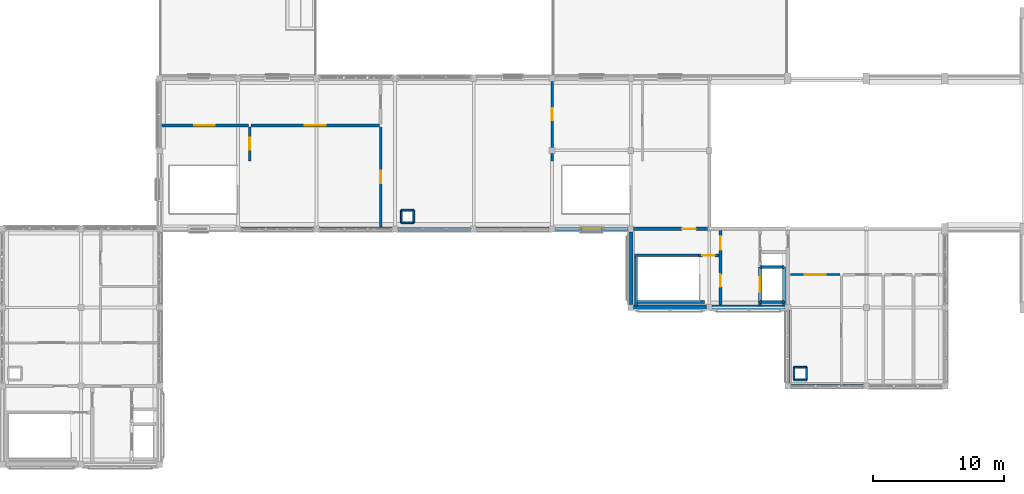
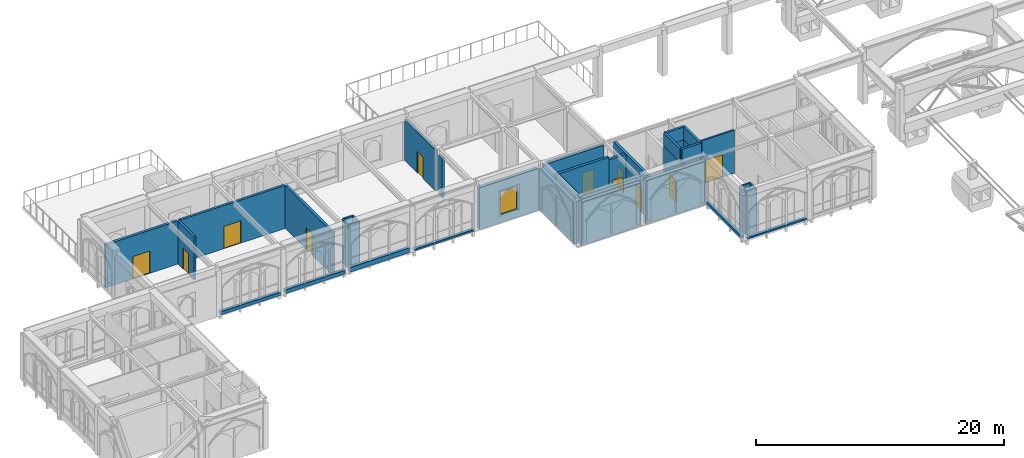
# One storey, part 41 of 59: 39 walls, 11 doors, 1 window, 12 openings.
"""IFC4 building model written with IfcOpenShell, lengths in metres."""

from ifc_helpers import new_model, si_unit, direction, frame, frame_2d, origin, place, context, subcontext, project, spatial, rectangle, extrude, material, layer, layer_set, type_object, element, fill, save


model = new_model("IFC4")

# Units and contexts
model_context = context("Model", 3, precision=1e-05, world=origin(), true_north=direction((0.0, 1.0)))
body_context = subcontext(model_context, "Body", "Model", "MODEL_VIEW")
ifc_project = project(units=[si_unit("LENGTHUNIT", "METRE"), si_unit("AREAUNIT", "SQUARE_METRE"), si_unit("VOLUMEUNIT", "CUBIC_METRE"), si_unit("PLANEANGLEUNIT", "RADIAN"), si_unit("MASSUNIT", "GRAM", prefix="KILO")], contexts=[model_context])

# Site, building, storey
site_placement = place(None, origin())
site = spatial("IfcSite", under=ifc_project, at=site_placement, CompositionType="ELEMENT")
building_placement = place(site_placement, origin())
building = spatial("IfcBuilding", under=site, at=building_placement, Name="Cumevento Cable Car Station", CompositionType="ELEMENT")
storey_placement = place(building_placement, frame((0.0, 0.0, 18.0)))
storey = spatial("IfcBuildingStorey", under=building, at=storey_placement, Name="L05", CompositionType="ELEMENT", Elevation=18.0)

# Walls
ifc_material_1 = material(Name="Gnaisse Facoidal Stone Ashlar 85 MPa", Category="masonry")
ifc_layer_1 = layer(ifc_material_1, 0.294921875)
ifc_layer_set_1 = layer_set([ifc_layer_1], Name="Gnaisse Facoidal Stone Ashlar 85 MPa")
wall_type_1 = type_object("IfcWallType", Name="Exterior Envelope Wall EW-295 295", PredefinedType="SOLIDWALL", material=ifc_layer_set_1)
wall_1_placement = place(storey_placement, frame((75.77490234375, 33.0, 0.0), z_axis=(0.0, 0.0, 1.0), x_axis=(-1.0, 0.0, 0.0)))
element("IfcWall", 1, at=wall_1_placement, inside=storey, type_object=wall_type_1, Name="Exterior Sill Curb Wall EW-295 L05 #380", PredefinedType="SOLIDWALL", context=body_context, shape_type="SweptSolid", body=[
    extrude(rectangle(XDim=5.5498046875, YDim=0.294921875, at=frame_2d((2.77490234375, 0.0))), origin(), (0.0, 0.0, 1.0), 0.159912109375),
])
wall_2_placement = place(storey_placement, frame((70.0, 33.22509765625, 0.0), z_axis=(0.0, 0.0, 1.0), x_axis=(0.0, 1.0, 0.0)))
element("IfcWall", 2, at=wall_2_placement, inside=storey, type_object=wall_type_1, Name="Exterior Sill Curb Wall EW-295 L05 #382", PredefinedType="SOLIDWALL", context=body_context, shape_type="SweptSolid", body=[
    extrude(rectangle(XDim=5.5498046875, YDim=0.294921875, at=frame_2d((2.77490234375, 0.0))), origin(), (0.0, 0.0, 1.0), 0.260009765625),
])
wall_3_placement = place(storey_placement, frame((33.77490234375, 45.0, 0.0), z_axis=(0.0, 0.0, 1.0), x_axis=(-1.0, 0.0, 0.0)))
element("IfcWall", 3, at=wall_3_placement, inside=storey, type_object=wall_type_1, Name="Exterior Sill Curb Wall EW-295 L05 #397", PredefinedType="SOLIDWALL", context=body_context, shape_type="SweptSolid", body=[
    extrude(rectangle(XDim=5.5498046875, YDim=0.294921875, at=frame_2d((2.77490234375, 0.0))), origin(), (0.0, 0.0, 1.0), 0.31005859375),
])
wall_4_placement = place(storey_placement, frame((39.77490234375, 45.0, 0.0), z_axis=(0.0, 0.0, 1.0), x_axis=(-1.0, 0.0, 0.0)))
element("IfcWall", 4, at=wall_4_placement, inside=storey, type_object=wall_type_1, Name="Exterior Sill Curb Wall EW-295 L05 #399", PredefinedType="SOLIDWALL", context=body_context, shape_type="SweptSolid", body=[
    extrude(rectangle(XDim=5.5498046875, YDim=0.294921875, at=frame_2d((2.77490234375, 0.0))), origin(), (0.0, 0.0, 1.0), 0.360107421875),
])
wall_5_placement = place(storey_placement, frame((45.77490234375, 45.0, 0.0), z_axis=(0.0, 0.0, 1.0), x_axis=(-1.0, 0.0, 0.0)))
element("IfcWall", 5, at=wall_5_placement, inside=storey, type_object=wall_type_1, Name="Exterior Sill Curb Wall EW-295 L05 #401", PredefinedType="SOLIDWALL", context=body_context, shape_type="SweptSolid", body=[
    extrude(rectangle(XDim=5.5498046875, YDim=0.294921875, at=frame_2d((2.77490234375, 0.0))), origin(), (0.0, 0.0, 1.0), 0.4599609375),
])
wall_6_placement = place(storey_placement, frame((51.77490234375, 45.0, 0.0), z_axis=(0.0, 0.0, 1.0), x_axis=(-1.0, 0.0, 0.0)))
element("IfcWall", 6, at=wall_6_placement, inside=storey, type_object=wall_type_1, Name="Exterior Sill Curb Wall EW-295 L05 #403", PredefinedType="SOLIDWALL", context=body_context, shape_type="SweptSolid", body=[
    extrude(rectangle(XDim=5.5498046875, YDim=0.294921875, at=frame_2d((2.77490234375, 0.0))), origin(), (0.0, 0.0, 1.0), 0.159912109375),
])

# Wall, opening, window
ifc_material_2 = material(Name="Gnaisse Facoidal Stone Ashlar 85 MPa", Category="masonry")
ifc_layer_2 = layer(ifc_material_2, 0.324951171875)
ifc_layer_set_2 = layer_set([ifc_layer_2], Name="Gnaisse Facoidal Stone Ashlar 85 MPa")
wall_type_2 = type_object("IfcWallType", Name="Exterior Envelope Wall EW-325 325", PredefinedType="SOLIDWALL", material=ifc_layer_set_2)
wall_7_placement = place(storey_placement, frame((57.77490234375, 45.0, 0.0), z_axis=(0.0, 0.0, 1.0), x_axis=(-1.0, 0.0, 0.0)))
wall_7 = element("IfcWall", 7, at=wall_7_placement, inside=storey, type_object=wall_type_2, Name="Exterior Wall EW-325 L05 #407", PredefinedType="SOLIDWALL", context=body_context, shape_type="SweptSolid", body=[
    extrude(rectangle(XDim=5.5498046875, YDim=0.324951171875, at=frame_2d((2.77490234375, 0.0))), origin(), (0.0, 0.0, 1.0), 4.093017578125),
])
opening_1_placement = place(wall_7_placement, frame((2.0, 0.0, 0.75)))
opening_1 = element("IfcOpeningElement", 8, at=opening_1_placement, cuts=wall_7, Name="Opening WN-L05-104", PredefinedType="OPENING", context=body_context, shape_type="SweptSolid", body=[
    extrude(rectangle(XDim=1.550048828125, YDim=2.25, at=frame_2d((0.77490234375, 1.125))), frame((0.0, 0.172607421875, 0.0), z_axis=(0.0, -1.0, 0.0), x_axis=(1.0, 0.0, 0.0)), (0.0, 0.0, 1.0), 0.344970703125),
])
ifc_material_3 = material(Name="Anodised Bronze Aluminium & Laminated Solar Glass", Category="aluminium")
window_type = type_object("IfcWindowType", Name="Lancet Window WN-08 1550x2250", PartitioningType="DOUBLE_PANEL_VERTICAL", PredefinedType="WINDOW", material=ifc_material_3)
window_placement = place(opening_1_placement, origin())
window = element("IfcWindow", 9, at=window_placement, inside=storey, type_object=window_type, Name="Lancet Window WN-L05-104 (WN-08)", OverallHeight=2.25, OverallWidth=1.550048828125, PartitioningType="SINGLE_PANEL", PredefinedType="WINDOW", context=body_context, shape_type="SweptSolid", body=[
    extrude(rectangle(XDim=1.550048828125, YDim=2.25, at=frame_2d((0.77490234375, 1.125))), frame((0.0, 0.030029296875, 0.0), z_axis=(0.0, -1.0, 0.0), x_axis=(1.0, 0.0, 0.0)), (0.0, 0.0, 1.0), 0.06005859375),
])
fill(opening_1, window)

# Walls
ifc_material_4 = material(Name="Concrete C40/50", Category="concrete")
ifc_layer_3 = layer(ifc_material_4, 0.35498046875)
ifc_layer_set_3 = layer_set([ifc_layer_3], Name="Concrete C40/50")
wall_type_3 = type_object("IfcWallType", Name="Exterior Envelope Wall EW-355 355", PredefinedType="SOLIDWALL", material=ifc_layer_set_3)
wall_8_placement = place(storey_placement, frame((63.77490234375, 39.0, 0.0), z_axis=(0.0, 0.0, 1.0), x_axis=(-1.0, 0.0, 0.0)))
element("IfcWall", 10, at=wall_8_placement, inside=storey, type_object=wall_type_3, Name="Exterior Wall EW-355 L05 #377", PredefinedType="SOLIDWALL", context=body_context, shape_type="SweptSolid", body=[
    extrude(rectangle(XDim=5.5498046875, YDim=0.35498046875, at=frame_2d((2.77490234375, 0.0))), origin(), (0.0, 0.0, 1.0), 4.194091796875),
])
wall_9_placement = place(storey_placement, frame((69.77490234375, 39.0, 0.0), z_axis=(0.0, 0.0, 1.0), x_axis=(-1.0, 0.0, 0.0)))
element("IfcWall", 11, at=wall_9_placement, inside=storey, type_object=wall_type_3, Name="Exterior Wall EW-355 L05 #378", PredefinedType="SOLIDWALL", context=body_context, shape_type="SweptSolid", body=[
    extrude(rectangle(XDim=5.5498046875, YDim=0.35498046875, at=frame_2d((2.77490234375, 0.0))), origin(), (0.0, 0.0, 1.0), 4.23388671875),
])
wall_10_placement = place(storey_placement, frame((58.0, 39.22509765625, 0.0), z_axis=(0.0, 0.0, 1.0), x_axis=(0.0, 1.0, 0.0)))
element("IfcWall", 12, at=wall_10_placement, inside=storey, type_object=wall_type_3, Name="Exterior Wall EW-355 L05 #379", PredefinedType="SOLIDWALL", context=body_context, shape_type="SweptSolid", body=[
    extrude(rectangle(XDim=5.5498046875, YDim=0.35498046875, at=frame_2d((2.77490234375, 0.0))), origin(), (0.0, 0.0, 1.0), 4.093017578125),
])

# Wall, opening, door
ifc_material_5 = material(Name="Concrete C40/50", Category="concrete")
ifc_layer_4 = layer(ifc_material_5, 0.199951171875)
ifc_layer_set_4 = layer_set([ifc_layer_4], Name="Concrete C40/50")
wall_type_4 = type_object("IfcWallType", Name="Interior Partition FW-200 200", PredefinedType="SOLIDWALL", material=ifc_layer_set_4)
wall_11_placement = place(storey_placement, frame((28.89990234375, 50.199951171875, 0.0), z_axis=(0.0, 0.0, 1.0), x_axis=(0.0, 1.0, 0.0)))
wall_11 = element("IfcWall", 13, at=wall_11_placement, inside=storey, type_object=wall_type_4, Name="Interior Wall FW-200 L05 #740", PredefinedType="SOLIDWALL", context=body_context, shape_type="SweptSolid", body=[
    extrude(rectangle(XDim=2.60009765625, YDim=0.199951171875, at=frame_2d((1.300048828125, 0.0))), origin(), (0.0, 0.0, 1.0), 4.239990234375),
])
opening_2_placement = place(wall_11_placement, frame((0.830078125, 0.0, 0.0)))
opening_2 = element("IfcOpeningElement", 14, at=opening_2_placement, cuts=wall_11, Name="Opening DR-L05-309", PredefinedType="OPENING", context=body_context, shape_type="SweptSolid", body=[
    extrude(rectangle(XDim=0.93994140625, YDim=2.10009765625, at=frame_2d((0.469970703125, 1.050048828125))), frame((0.0, 0.110107421875, 0.0), z_axis=(0.0, -1.0, 0.0), x_axis=(1.0, 0.0, 0.0)), (0.0, 0.0, 1.0), 0.219970703125),
])
ifc_material_6 = material(Name="Galvanised Painted Steel Fire Door", Category="steel")
door_type_1 = type_object("IfcDoorType", Name="Interior Door FD-08 940x2100", OperationType="NOTDEFINED", PredefinedType="DOOR", material=ifc_material_6)
door_1_placement = place(opening_2_placement, origin())
door_1 = element("IfcDoor", 15, at=door_1_placement, inside=storey, type_object=door_type_1, Name="Interior Door DR-L05-309 (FD-08)", OperationType="SINGLE_SWING_RIGHT", OverallHeight=2.10009765625, OverallWidth=0.93994140625, PredefinedType="DOOR", context=body_context, shape_type="SweptSolid", body=[
    extrude(rectangle(XDim=0.93994140625, YDim=2.10009765625, at=frame_2d((0.469970703125, 1.050048828125))), frame((0.0, 0.02490234375, 0.0), z_axis=(0.0, -1.0, 0.0), x_axis=(1.0, 0.0, 0.0)), (0.0, 0.0, 1.0), 0.050048828125),
])
fill(opening_2, door_1)

ifc_material_7 = material(Name="Concrete C40/50", Category="concrete")
ifc_layer_5 = layer(ifc_material_7, 0.219970703125)
ifc_layer_set_5 = layer_set([ifc_layer_5], Name="Concrete C40/50")
wall_type_5 = type_object("IfcWallType", Name="Interior Partition FW-220 220", PredefinedType="SOLIDWALL", material=ifc_layer_set_5)
wall_12_placement = place(storey_placement, frame((38.89990234375, 45.117919921875, 0.0), z_axis=(0.0, 0.0, 1.0), x_axis=(0.0, 1.0, 0.0)))
wall_12 = element("IfcWall", 16, at=wall_12_placement, inside=storey, type_object=wall_type_5, Name="Interior Wall FW-220 L05 #739", PredefinedType="SOLIDWALL", context=body_context, shape_type="SweptSolid", body=[
    extrude(rectangle(XDim=7.68212890625, YDim=0.219970703125, at=frame_2d((3.841064453125, 0.0))), origin(), (0.0, 0.0, 1.0), 4.239990234375),
])
opening_3_placement = place(wall_12_placement, frame((3.37109375, 0.0, 0.0)))
opening_3 = element("IfcOpeningElement", 17, at=opening_3_placement, cuts=wall_12, Name="Opening DR-L05-308", PredefinedType="OPENING", context=body_context, shape_type="SweptSolid", body=[
    extrude(rectangle(XDim=0.93994140625, YDim=2.10009765625, at=frame_2d((0.469970703125, 1.050048828125))), frame((0.0, 0.119873046875, 0.0), z_axis=(0.0, -1.0, 0.0), x_axis=(1.0, 0.0, 0.0)), (0.0, 0.0, 1.0), 0.239990234375),
])
door_2_placement = place(opening_3_placement, origin())
door_2 = element("IfcDoor", 18, at=door_2_placement, inside=storey, type_object=door_type_1, Name="Interior Door DR-L05-308 (FD-08)", OperationType="SINGLE_SWING_LEFT", OverallHeight=2.10009765625, OverallWidth=0.93994140625, PredefinedType="DOOR", context=body_context, shape_type="SweptSolid", body=[
    extrude(rectangle(XDim=0.93994140625, YDim=2.10009765625, at=frame_2d((0.469970703125, 1.050048828125))), frame((0.0, 0.02490234375, 0.0), z_axis=(0.0, -1.0, 0.0), x_axis=(1.0, 0.0, 0.0)), (0.0, 0.0, 1.0), 0.050048828125),
])
fill(opening_3, door_2)

wall_13_placement = place(storey_placement, frame((29.0, 52.89990234375, 0.0), z_axis=(0.0, 0.0, 1.0), x_axis=(1.0, 0.0, 0.0)))
wall_13 = element("IfcWall", 19, at=wall_13_placement, inside=storey, type_object=wall_type_5, Name="Interior Wall FW-220 L05 #741", PredefinedType="SOLIDWALL", context=body_context, shape_type="SweptSolid", body=[
    extrude(rectangle(XDim=9.800048828125, YDim=0.219970703125, at=frame_2d((4.89990234375, 0.0))), origin(), (0.0, 0.0, 1.0), 4.239990234375),
])
opening_4_placement = place(wall_13_placement, frame((4.110107421875, 0.0, 0.0)))
opening_4 = element("IfcOpeningElement", 20, at=opening_4_placement, cuts=wall_13, Name="Opening DR-L05-310", PredefinedType="OPENING", context=body_context, shape_type="SweptSolid", body=[
    extrude(rectangle(XDim=1.580078125, YDim=2.199951171875, at=frame_2d((0.7900390625, 1.10009765625))), frame((0.0, 0.119873046875, 0.0), z_axis=(0.0, -1.0, 0.0), x_axis=(1.0, 0.0, 0.0)), (0.0, 0.0, 1.0), 0.239990234375),
])
ifc_material_8 = material(Name="Galvanised Painted Steel Fire Door", Category="steel")
door_type_2 = type_object("IfcDoorType", Name="Interior Door FD-06 1580x2200", OperationType="NOTDEFINED", PredefinedType="DOOR", material=ifc_material_8)
door_3_placement = place(opening_4_placement, origin())
door_3 = element("IfcDoor", 21, at=door_3_placement, inside=storey, type_object=door_type_2, Name="Interior Door DR-L05-310 (FD-06)", OperationType="DOUBLE_DOOR_SINGLE_SWING", OverallHeight=2.199951171875, OverallWidth=1.580078125, PredefinedType="DOOR", context=body_context, shape_type="SweptSolid", body=[
    extrude(rectangle(XDim=1.580078125, YDim=2.199951171875, at=frame_2d((0.7900390625, 1.10009765625))), frame((0.0, 0.02490234375, 0.0), z_axis=(0.0, -1.0, 0.0), x_axis=(1.0, 0.0, 0.0)), (0.0, 0.0, 1.0), 0.050048828125),
])
fill(opening_4, door_3)

wall_14_placement = place(storey_placement, frame((52.0, 51.22705078125, 0.0), z_axis=(0.0, 0.0, 1.0), x_axis=(0.0, 1.0, 0.0)))
wall_14 = element("IfcWall", 22, at=wall_14_placement, inside=storey, type_object=wall_type_5, Name="Interior Wall FW-220 L05 #743", PredefinedType="SOLIDWALL", context=body_context, shape_type="SweptSolid", body=[
    extrude(rectangle(XDim=5.0458984375, YDim=0.219970703125, at=frame_2d((2.52294921875, 0.0))), origin(), (0.0, 0.0, 1.0), 4.04296875),
])
opening_5_placement = place(wall_14_placement, frame((2.052978515625, 0.0, 0.0)))
opening_5 = element("IfcOpeningElement", 23, at=opening_5_placement, cuts=wall_14, Name="Opening DR-L05-312", PredefinedType="OPENING", context=body_context, shape_type="SweptSolid", body=[
    extrude(rectangle(XDim=0.93994140625, YDim=2.10009765625, at=frame_2d((0.469970703125, 1.050048828125))), frame((0.0, 0.119873046875, 0.0), z_axis=(0.0, -1.0, 0.0), x_axis=(1.0, 0.0, 0.0)), (0.0, 0.0, 1.0), 0.239990234375),
])
door_4_placement = place(opening_5_placement, origin())
door_4 = element("IfcDoor", 24, at=door_4_placement, inside=storey, type_object=door_type_1, Name="Interior Door DR-L05-312 (FD-08)", OperationType="SINGLE_SWING_RIGHT", OverallHeight=2.10009765625, OverallWidth=0.93994140625, PredefinedType="DOOR", context=body_context, shape_type="SweptSolid", body=[
    extrude(rectangle(XDim=0.93994140625, YDim=2.10009765625, at=frame_2d((0.469970703125, 1.050048828125))), frame((0.0, 0.02490234375, 0.0), z_axis=(0.0, -1.0, 0.0), x_axis=(1.0, 0.0, 0.0)), (0.0, 0.0, 1.0), 0.050048828125),
])
fill(opening_5, door_4)

# Walls
wall_15_placement = place(storey_placement, frame((52.0, 50.199951171875, 0.0), z_axis=(0.0, 0.0, 1.0), x_axis=(0.0, 1.0, 0.0)))
element("IfcWall", 25, at=wall_15_placement, inside=storey, type_object=wall_type_5, Name="Interior Wall FW-220 L05 #744", PredefinedType="SOLIDWALL", context=body_context, shape_type="SweptSolid", body=[
    extrude(rectangle(XDim=0.572998046875, YDim=0.219970703125, at=frame_2d((0.28662109375, 0.0))), origin(), (0.0, 0.0, 1.0), 3.89208984375),
])
ifc_material_9 = material(Name="Gypsum Board & Insulated Stud Partition", Category="gypsum")
ifc_layer_6 = layer(ifc_material_9, 0.14501953125)
ifc_layer_set_6 = layer_set([ifc_layer_6], Name="Gypsum Board & Insulated Stud Partition")
wall_type_6 = type_object("IfcWallType", Name="Interior Partition PT-145 145", PredefinedType="PARTITIONING", material=ifc_layer_set_6)
for number, where, z_axis, x_axis, name in (
    (26, (70.469970703125, 33.469970703125, 0.0), (0.0, 0.0, 1.0), (1.0, 0.0, 0.0), "Interior Wall PT-145 L05 #25"),
    (27, (71.429931640625, 33.469970703125, 0.0), (0.0, 0.0, 1.0), (0.0, 1.0, 0.0), "Interior Wall PT-145 L05 #26"),
    (28, (71.429931640625, 34.429931640625, 0.0), (0.0, 0.0, 1.0), (-1.0, 0.0, 0.0), "Interior Wall PT-145 L05 #27"),
    (29, (70.469970703125, 34.429931640625, 0.0), (0.0, 0.0, 1.0), (0.0, -1.0, 0.0), "Interior Wall PT-145 L05 #28"),
    (30, (40.469970703125, 45.469970703125, 0.0), (0.0, 0.0, 1.0), (1.0, 0.0, 0.0), "Interior Wall PT-145 L05 #57"),
    (31, (41.429931640625, 45.469970703125, 0.0), (0.0, 0.0, 1.0), (0.0, 1.0, 0.0), "Interior Wall PT-145 L05 #58"),
    (32, (41.429931640625, 46.429931640625, 0.0), (0.0, 0.0, 1.0), (-1.0, 0.0, 0.0), "Interior Wall PT-145 L05 #59"),
    (33, (40.469970703125, 46.429931640625, 0.0), (0.0, 0.0, 1.0), (0.0, -1.0, 0.0), "Interior Wall PT-145 L05 #60"),
):
    element("IfcWall", number, at=place(storey_placement, frame(where, z_axis=z_axis, x_axis=x_axis)), inside=storey, type_object=wall_type_6, Name=name, PredefinedType="PARTITIONING", context=body_context, shape_type="SweptSolid", body=[
        extrude(rectangle(XDim=0.9599609375, YDim=0.14501953125, at=frame_2d((0.47998046875, 0.0))), origin(), (0.0, 0.0, 1.0), 4.239990234375),
    ])

# Wall, opening, door
ifc_material_10 = material(Name="Gypsum Board & Insulated Stud Partition", Category="gypsum")
ifc_layer_7 = layer(ifc_material_10, 0.155029296875)
ifc_layer_set_7 = layer_set([ifc_layer_7], Name="Gypsum Board & Insulated Stud Partition")
wall_type_7 = type_object("IfcWallType", Name="Interior Partition PT-155 155", PredefinedType="PARTITIONING", material=ifc_layer_set_7)
wall_16_placement = place(storey_placement, frame((70.199951171875, 41.5, 0.0), z_axis=(0.0, 0.0, 1.0), x_axis=(1.0, 0.0, 0.0)))
wall_16 = element("IfcWall", 34, at=wall_16_placement, inside=storey, type_object=wall_type_7, Name="Interior Wall PT-155 L05 #727", PredefinedType="PARTITIONING", context=body_context, shape_type="SweptSolid", body=[
    extrude(rectangle(XDim=3.800048828125, YDim=0.155029296875, at=frame_2d((1.89990234375, 0.0))), origin(), (0.0, 0.0, 1.0), 4.239990234375),
])
opening_6_placement = place(wall_16_placement, frame((1.110107421875, 0.0, 0.0)))
opening_6 = element("IfcOpeningElement", 35, at=opening_6_placement, cuts=wall_16, Name="Opening DR-L05-301", PredefinedType="OPENING", context=body_context, shape_type="SweptSolid", body=[
    extrude(rectangle(XDim=1.580078125, YDim=2.199951171875, at=frame_2d((0.7900390625, 1.10009765625))), frame((0.0, 0.087646484375, 0.0), z_axis=(0.0, -1.0, 0.0), x_axis=(1.0, 0.0, 0.0)), (0.0, 0.0, 1.0), 0.175048828125),
])
door_5_placement = place(opening_6_placement, origin())
door_5 = element("IfcDoor", 36, at=door_5_placement, inside=storey, type_object=door_type_2, Name="Interior Door DR-L05-301 (FD-06)", OperationType="DOUBLE_DOOR_SINGLE_SWING", OverallHeight=2.199951171875, OverallWidth=1.580078125, PredefinedType="DOOR", context=body_context, shape_type="SweptSolid", body=[
    extrude(rectangle(XDim=1.580078125, YDim=2.199951171875, at=frame_2d((0.7900390625, 1.10009765625))), frame((0.0, 0.02490234375, 0.0), z_axis=(0.0, -1.0, 0.0), x_axis=(1.0, 0.0, 0.0)), (0.0, 0.0, 1.0), 0.050048828125),
])
fill(opening_6, door_5)

ifc_material_11 = material(Name="Acoustic Masonry Block Partition", Category="masonry")
ifc_layer_8 = layer(ifc_material_11, 0.2451171875)
ifc_layer_set_8 = layer_set([ifc_layer_8], Name="Acoustic Masonry Block Partition")
wall_type_8 = type_object("IfcWallType", Name="Interior Partition PT-245 245", PredefinedType="PARTITIONING", material=ifc_layer_set_8)
wall_17_placement = place(storey_placement, frame((22.0849609375, 52.89990234375, 0.0), z_axis=(0.0, 0.0, 1.0), x_axis=(1.0, 0.0, 0.0)))
wall_17 = element("IfcWall", 37, at=wall_17_placement, inside=storey, type_object=wall_type_8, Name="Interior Wall PT-245 L05 #745", PredefinedType="PARTITIONING", context=body_context, shape_type="SweptSolid", body=[
    extrude(rectangle(XDim=6.715087890625, YDim=0.2451171875, at=frame_2d((3.357421875, 0.0))), origin(), (0.0, 0.0, 1.0), 4.239990234375),
])
opening_7_placement = place(wall_17_placement, frame((2.5673828125, 0.0, 0.0)))
opening_7 = element("IfcOpeningElement", 38, at=opening_7_placement, cuts=wall_17, Name="Opening DR-L05-313", PredefinedType="OPENING", context=body_context, shape_type="SweptSolid", body=[
    extrude(rectangle(XDim=1.580078125, YDim=2.199951171875, at=frame_2d((0.7900390625, 1.10009765625))), frame((0.0, 0.132568359375, 0.0), z_axis=(0.0, -1.0, 0.0), x_axis=(1.0, 0.0, 0.0)), (0.0, 0.0, 1.0), 0.26513671875),
])
door_6_placement = place(opening_7_placement, origin())
door_6 = element("IfcDoor", 39, at=door_6_placement, inside=storey, type_object=door_type_2, Name="Interior Door DR-L05-313 (FD-06)", OperationType="DOUBLE_DOOR_SINGLE_SWING", OverallHeight=2.199951171875, OverallWidth=1.580078125, PredefinedType="DOOR", context=body_context, shape_type="SweptSolid", body=[
    extrude(rectangle(XDim=1.580078125, YDim=2.199951171875, at=frame_2d((0.7900390625, 1.10009765625))), frame((0.0, 0.02490234375, 0.0), z_axis=(0.0, -1.0, 0.0), x_axis=(1.0, 0.0, 0.0)), (0.0, 0.0, 1.0), 0.050048828125),
])
fill(opening_7, door_6)

# Walls
ifc_material_12 = material(Name="Concrete C40/50", Category="concrete")
ifc_layer_9 = layer(ifc_material_12, 0.22998046875)
ifc_layer_set_9 = layer_set([ifc_layer_9], Name="Concrete C40/50")
wall_type_9 = type_object("IfcWallType", Name="Interior Shear Wall CW-230 230", PredefinedType="SHEAR", material=ifc_layer_set_9)
wall_18_placement = place(storey_placement, frame((67.8798828125, 39.419921875, 4.5), z_axis=(0.0, 0.0, 1.0), x_axis=(1.0, 0.0, 0.0)))
element("IfcWall", 40, at=wall_18_placement, inside=storey, type_object=wall_type_9, Name="Interior Wall CW-230 L05 #137", PredefinedType="SHEAR", context=body_context, shape_type="SweptSolid", body=[
    extrude(rectangle(XDim=1.820068359375, YDim=0.22998046875, at=frame_2d((0.91015625, 0.0))), origin(), (0.0, 0.0, 1.0), 1.25),
])
wall_19_placement = place(storey_placement, frame((69.699951171875, 39.419921875, 4.5), z_axis=(0.0, 0.0, 1.0), x_axis=(0.0, 1.0, 0.0)))
element("IfcWall", 41, at=wall_19_placement, inside=storey, type_object=wall_type_9, Name="Interior Wall CW-230 L05 #138", PredefinedType="SHEAR", context=body_context, shape_type="SweptSolid", body=[
    extrude(rectangle(XDim=2.66015625, YDim=0.22998046875, at=frame_2d((1.330078125, 0.0))), origin(), (0.0, 0.0, 1.0), 1.25),
])
wall_20_placement = place(storey_placement, frame((69.699951171875, 42.080078125, 4.5), z_axis=(0.0, 0.0, 1.0), x_axis=(-1.0, 0.0, 0.0)))
element("IfcWall", 42, at=wall_20_placement, inside=storey, type_object=wall_type_9, Name="Interior Wall CW-230 L05 #139", PredefinedType="SHEAR", context=body_context, shape_type="SweptSolid", body=[
    extrude(rectangle(XDim=1.820068359375, YDim=0.22998046875, at=frame_2d((0.91015625, 0.0))), origin(), (0.0, 0.0, 1.0), 1.25),
])
wall_21_placement = place(storey_placement, frame((67.8798828125, 42.080078125, 4.5), z_axis=(0.0, 0.0, 1.0), x_axis=(0.0, -1.0, 0.0)))
element("IfcWall", 43, at=wall_21_placement, inside=storey, type_object=wall_type_9, Name="Interior Wall CW-230 L05 #140", PredefinedType="SHEAR", context=body_context, shape_type="SweptSolid", body=[
    extrude(rectangle(XDim=2.66015625, YDim=0.22998046875, at=frame_2d((1.330078125, 0.0))), origin(), (0.0, 0.0, 1.0), 1.25),
])
wall_22_placement = place(storey_placement, frame((58.405029296875, 39.114990234375, 0.0), z_axis=(0.0, 0.0, 1.0), x_axis=(0.0, 1.0, 0.0)))
element("IfcWall", 44, at=wall_22_placement, inside=storey, type_object=wall_type_9, Name="Interior Wall CW-230 L05 #202", PredefinedType="SHEAR", context=body_context, shape_type="SweptSolid", body=[
    extrude(rectangle(XDim=3.735107421875, YDim=0.22998046875, at=frame_2d((1.86767578125, 0.0))), origin(), (0.0, 0.0, 1.0), 4.5),
])
wall_23_placement = place(storey_placement, frame((58.52001953125, 39.405029296875, 0.0), z_axis=(0.0, 0.0, 1.0), x_axis=(1.0, 0.0, 0.0)))
element("IfcWall", 45, at=wall_23_placement, inside=storey, type_object=wall_type_9, Name="Interior Wall CW-230 L05 #203", PredefinedType="SHEAR", context=body_context, shape_type="SweptSolid", body=[
    extrude(rectangle(XDim=5.1298828125, YDim=0.22998046875, at=frame_2d((2.56494140625, 0.0))), origin(), (0.0, 0.0, 1.0), 4.5),
])
wall_24_placement = place(storey_placement, frame((68.0048828125, 39.419921875, 0.0), z_axis=(0.0, 0.0, 1.0), x_axis=(1.0, 0.0, 0.0)))
element("IfcWall", 46, at=wall_24_placement, inside=storey, type_object=wall_type_9, Name="Interior Wall CW-230 L05 #208", PredefinedType="SHEAR", context=body_context, shape_type="SweptSolid", body=[
    extrude(rectangle(XDim=1.580078125, YDim=0.22998046875, at=frame_2d((0.7900390625, 0.0))), origin(), (0.0, 0.0, 1.0), 4.5),
])
wall_25_placement = place(storey_placement, frame((69.699951171875, 39.114990234375, 0.0), z_axis=(0.0, 0.0, 1.0), x_axis=(0.0, 1.0, 0.0)))
element("IfcWall", 47, at=wall_25_placement, inside=storey, type_object=wall_type_9, Name="Interior Wall CW-230 L05 #209", PredefinedType="SHEAR", context=body_context, shape_type="SweptSolid", body=[
    extrude(rectangle(XDim=2.965087890625, YDim=0.22998046875, at=frame_2d((1.482421875, 0.0))), origin(), (0.0, 0.0, 1.0), 4.5),
])
wall_26_placement = place(storey_placement, frame((68.0048828125, 42.080078125, 0.0), z_axis=(0.0, 0.0, 1.0), x_axis=(1.0, 0.0, 0.0)))
element("IfcWall", 48, at=wall_26_placement, inside=storey, type_object=wall_type_9, Name="Interior Wall CW-230 L05 #210", PredefinedType="SHEAR", context=body_context, shape_type="SweptSolid", body=[
    extrude(rectangle(XDim=1.580078125, YDim=0.22998046875, at=frame_2d((0.7900390625, 0.0))), origin(), (0.0, 0.0, 1.0), 4.5),
])
ifc_material_13 = material(Name="Concrete C40/50", Category="concrete")
ifc_layer_10 = layer(ifc_material_13, 0.25)
ifc_layer_set_10 = layer_set([ifc_layer_10], Name="Concrete C40/50")
wall_type_10 = type_object("IfcWallType", Name="Interior Shear Wall CW-250 250", PredefinedType="SHEAR", material=ifc_layer_set_10)
wall_27_placement = place(storey_placement, frame((58.2900390625, 42.97509765625, 0.0), z_axis=(0.0, 0.0, 1.0), x_axis=(1.0, 0.0, 0.0)))
element("IfcWall", 49, at=wall_27_placement, inside=storey, type_object=wall_type_10, Name="Interior Wall CW-250 L05 #204", PredefinedType="SHEAR", context=body_context, shape_type="SweptSolid", body=[
    extrude(rectangle(XDim=4.869873046875, YDim=0.25, at=frame_2d((2.43505859375, 0.0))), origin(), (0.0, 0.0, 1.0), 4.5),
])

# Wall, opening, door
wall_28_placement = place(storey_placement, frame((63.159912109375, 42.97509765625, 0.0), z_axis=(0.0, 0.0, 1.0), x_axis=(1.0, 0.0, 0.0)))
wall_28 = element("IfcWall", 50, at=wall_28_placement, inside=storey, type_object=wall_type_10, Name="Interior Wall CW-250 L05 #205", PredefinedType="SHEAR", context=body_context, shape_type="SweptSolid", body=[
    extrude(rectangle(XDim=1.580078125, YDim=0.25, at=frame_2d((0.7900390625, 0.0))), origin(), (0.0, 0.0, 1.0), 4.239990234375),
])
opening_8_placement = place(wall_28_placement, frame((0.31005859375, 0.0, 0.0)))
opening_8 = element("IfcOpeningElement", 51, at=opening_8_placement, cuts=wall_28, Name="Opening DR-L05-038", PredefinedType="OPENING", context=body_context, shape_type="SweptSolid", body=[
    extrude(rectangle(XDim=0.9599609375, YDim=2.1201171875, at=frame_2d((0.47998046875, 1.06005859375))), frame((0.0, 0.135009765625, 0.0), z_axis=(0.0, -1.0, 0.0), x_axis=(1.0, 0.0, 0.0)), (0.0, 0.0, 1.0), 0.27001953125),
])
ifc_material_14 = material(Name="Galvanised Painted Steel Fire Door", Category="steel")
door_type_3 = type_object("IfcDoorType", Name="Interior Door FD-01 960x2120", OperationType="NOTDEFINED", PredefinedType="DOOR", material=ifc_material_14)
door_7_placement = place(opening_8_placement, origin())
door_7 = element("IfcDoor", 52, at=door_7_placement, inside=storey, type_object=door_type_3, Name="Stair ST-01 Enclosure Door L05", OperationType="SINGLE_SWING_RIGHT", OverallHeight=2.1201171875, OverallWidth=0.9599609375, PredefinedType="DOOR", context=body_context, shape_type="SweptSolid", body=[
    extrude(rectangle(XDim=0.9599609375, YDim=2.1201171875, at=frame_2d((0.47998046875, 1.06005859375))), frame((0.0, 0.02490234375, 0.0), z_axis=(0.0, -1.0, 0.0), x_axis=(1.0, 0.0, 0.0)), (0.0, 0.0, 1.0), 0.050048828125),
])
fill(opening_8, door_7)

# Wall, openings, doors
wall_29_placement = place(storey_placement, frame((64.864990234375, 39.175048828125, 0.0), z_axis=(0.0, 0.0, 1.0), x_axis=(0.0, 1.0, 0.0)))
wall_29 = element("IfcWall", 53, at=wall_29_placement, inside=storey, type_object=wall_type_10, Name="Interior Wall CW-250 L05 #206", PredefinedType="SHEAR", context=body_context, shape_type="SweptSolid", body=[
    extrude(rectangle(XDim=5.6875, YDim=0.25, at=frame_2d((2.84375, 0.0))), origin(), (0.0, 0.0, 1.0), 4.239990234375),
])
opening_9_placement = place(wall_29_placement, frame((4.22509765625, 0.0, 0.0)))
opening_9 = element("IfcOpeningElement", 54, at=opening_9_placement, cuts=wall_29, Name="Opening DR-L05-039", PredefinedType="OPENING", context=body_context, shape_type="SweptSolid", body=[
    extrude(rectangle(XDim=1.0400390625, YDim=2.139892578125, at=frame_2d((0.52001953125, 1.06982421875))), frame((0.0, 0.135009765625, 0.0), z_axis=(0.0, -1.0, 0.0), x_axis=(1.0, 0.0, 0.0)), (0.0, 0.0, 1.0), 0.27001953125),
])
opening_10_placement = place(wall_29_placement, frame((1.39501953125, 0.0, 0.0)))
opening_10 = element("IfcOpeningElement", 55, at=opening_10_placement, cuts=wall_29, Name="Opening DR-L05-040", PredefinedType="OPENING", context=body_context, shape_type="SweptSolid", body=[
    extrude(rectangle(XDim=0.9599609375, YDim=2.1201171875, at=frame_2d((0.47998046875, 1.06005859375))), frame((0.0, 0.135009765625, 0.0), z_axis=(0.0, -1.0, 0.0), x_axis=(1.0, 0.0, 0.0)), (0.0, 0.0, 1.0), 0.27001953125),
])
door_8_placement = place(opening_10_placement, origin())
door_8 = element("IfcDoor", 56, at=door_8_placement, inside=storey, type_object=door_type_3, Name="Firefighting Lobby Direct Stair Door L05", OperationType="SINGLE_SWING_RIGHT", OverallHeight=2.1201171875, OverallWidth=0.9599609375, PredefinedType="DOOR", context=body_context, shape_type="SweptSolid", body=[
    extrude(rectangle(XDim=0.9599609375, YDim=2.1201171875, at=frame_2d((0.47998046875, 1.06005859375))), frame((0.0, 0.02490234375, 0.0), z_axis=(0.0, -1.0, 0.0), x_axis=(1.0, 0.0, 0.0)), (0.0, 0.0, 1.0), 0.050048828125),
])
fill(opening_10, door_8)
ifc_material_15 = material(Name="Galvanised Painted Steel Fire Door", Category="steel")
door_type_4 = type_object("IfcDoorType", Name="Interior Door FD-02 1040x2140", OperationType="NOTDEFINED", PredefinedType="DOOR", material=ifc_material_15)
door_9_placement = place(opening_9_placement, origin())
door_9 = element("IfcDoor", 57, at=door_9_placement, inside=storey, type_object=door_type_4, Name="Lobby Vestibule Door CORE1 L05", OperationType="SINGLE_SWING_LEFT", OverallHeight=2.139892578125, OverallWidth=1.0400390625, PredefinedType="DOOR", context=body_context, shape_type="SweptSolid", body=[
    extrude(rectangle(XDim=1.0400390625, YDim=2.139892578125, at=frame_2d((0.52001953125, 1.06982421875))), frame((0.0, 0.02490234375, 0.0), z_axis=(0.0, -1.0, 0.0), x_axis=(1.0, 0.0, 0.0)), (0.0, 0.0, 1.0), 0.050048828125),
])
fill(opening_9, door_9)

# Wall, opening, door
wall_30_placement = place(storey_placement, frame((67.8798828125, 39.114990234375, 0.0), z_axis=(0.0, 0.0, 1.0), x_axis=(0.0, 1.0, 0.0)))
wall_30 = element("IfcWall", 58, at=wall_30_placement, inside=storey, type_object=wall_type_10, Name="Interior Wall CW-250 L05 #207", PredefinedType="SHEAR", context=body_context, shape_type="SweptSolid", body=[
    extrude(rectangle(XDim=2.965087890625, YDim=0.25, at=frame_2d((1.482421875, 0.0))), origin(), (0.0, 0.0, 1.0), 4.5),
])
opening_11_placement = place(wall_30_placement, frame((1.094970703125, 0.0, 0.0)))
opening_11 = element("IfcOpeningElement", 59, at=opening_11_placement, cuts=wall_30, Name="Opening LD-LF01-L05", PredefinedType="OPENING", context=body_context, shape_type="SweptSolid", body=[
    extrude(rectangle(XDim=1.080078125, YDim=2.14990234375, at=frame_2d((0.5400390625, 1.074951171875))), frame((0.0, 0.135009765625, 0.0), z_axis=(0.0, -1.0, 0.0), x_axis=(1.0, 0.0, 0.0)), (0.0, 0.0, 1.0), 0.27001953125),
])
ifc_material_16 = material(Name="Brushed Stainless Steel Lift Door", Category="steel")
door_type_5 = type_object("IfcDoorType", Name="Interior Door LD-01 1080x2150", OperationType="NOTDEFINED", PredefinedType="DOOR", material=ifc_material_16)
door_10_placement = place(opening_11_placement, origin())
door_10 = element("IfcDoor", 60, at=door_10_placement, inside=storey, type_object=door_type_5, Name="Lift Landing Door LD-LF01-L05", OperationType="DOUBLE_DOOR_SLIDING", OverallHeight=2.14990234375, OverallWidth=1.080078125, PredefinedType="DOOR", context=body_context, shape_type="SweptSolid", body=[
    extrude(rectangle(XDim=1.080078125, YDim=2.14990234375, at=frame_2d((0.5400390625, 1.074951171875))), frame((0.0, 0.02490234375, 0.0), z_axis=(0.0, -1.0, 0.0), x_axis=(1.0, 0.0, 0.0)), (0.0, 0.0, 1.0), 0.050048828125),
])
fill(opening_11, door_10)

ifc_material_17 = material(Name="Concrete C40/50", Category="concrete")
ifc_layer_11 = layer(ifc_material_17, 0.27490234375)
ifc_layer_set_11 = layer_set([ifc_layer_11], Name="Concrete C40/50")
wall_type_11 = type_object("IfcWallType", Name="Interior Shear Wall CW-275 275", PredefinedType="SHEAR", material=ifc_layer_set_11)
wall_31_placement = place(storey_placement, frame((58.22509765625, 45.0, 0.0), z_axis=(0.0, 0.0, 1.0), x_axis=(1.0, 0.0, 0.0)))
wall_31 = element("IfcWall", 61, at=wall_31_placement, inside=storey, type_object=wall_type_11, Name="Interior Wall CW-275 L05 #199", PredefinedType="SHEAR", context=body_context, shape_type="SweptSolid", body=[
    extrude(rectangle(XDim=5.622314453125, YDim=0.27490234375, at=frame_2d((2.81103515625, 0.0))), origin(), (0.0, 0.0, 1.0), 4.239990234375),
])
opening_12_placement = place(wall_31_placement, frame((3.705078125, 0.0, 0.0)))
opening_12 = element("IfcOpeningElement", 62, at=opening_12_placement, cuts=wall_31, Name="Opening DR-L05-036", PredefinedType="OPENING", context=body_context, shape_type="SweptSolid", body=[
    extrude(rectangle(XDim=1.0400390625, YDim=2.139892578125, at=frame_2d((0.52001953125, 1.06982421875))), frame((0.0, 0.1474609375, 0.0), z_axis=(0.0, -1.0, 0.0), x_axis=(1.0, 0.0, 0.0)), (0.0, 0.0, 1.0), 0.294921875),
])
door_11_placement = place(opening_12_placement, origin())
door_11 = element("IfcDoor", 63, at=door_11_placement, inside=storey, type_object=door_type_4, Name="Core CORE1 N_vest Fire Door L05", OperationType="SINGLE_SWING_RIGHT", OverallHeight=2.139892578125, OverallWidth=1.0400390625, PredefinedType="DOOR", context=body_context, shape_type="SweptSolid", body=[
    extrude(rectangle(XDim=1.0400390625, YDim=2.139892578125, at=frame_2d((0.52001953125, 1.06982421875))), frame((0.0, 0.02490234375, 0.0), z_axis=(0.0, -1.0, 0.0), x_axis=(1.0, 0.0, 0.0)), (0.0, 0.0, 1.0), 0.050048828125),
])
fill(opening_12, door_11)

save(model, "model.ifc")
